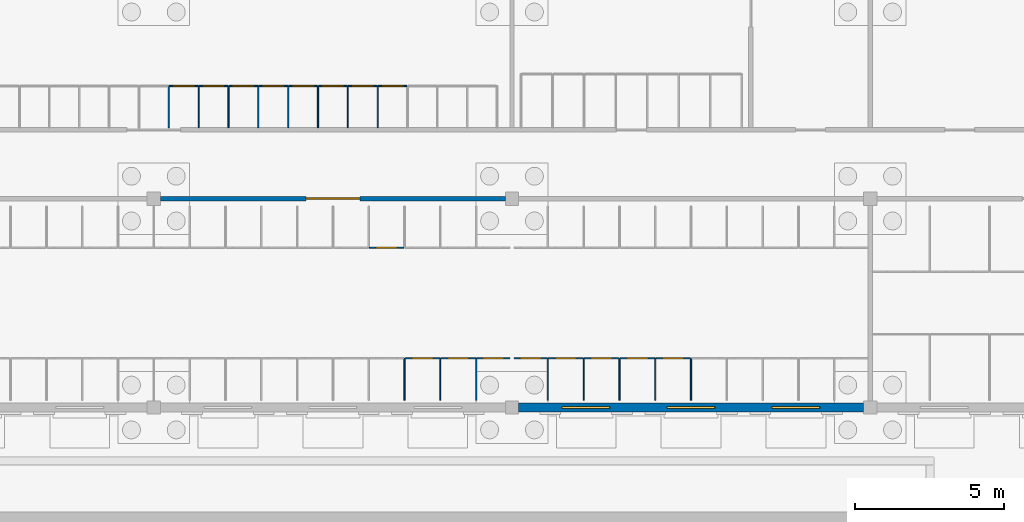
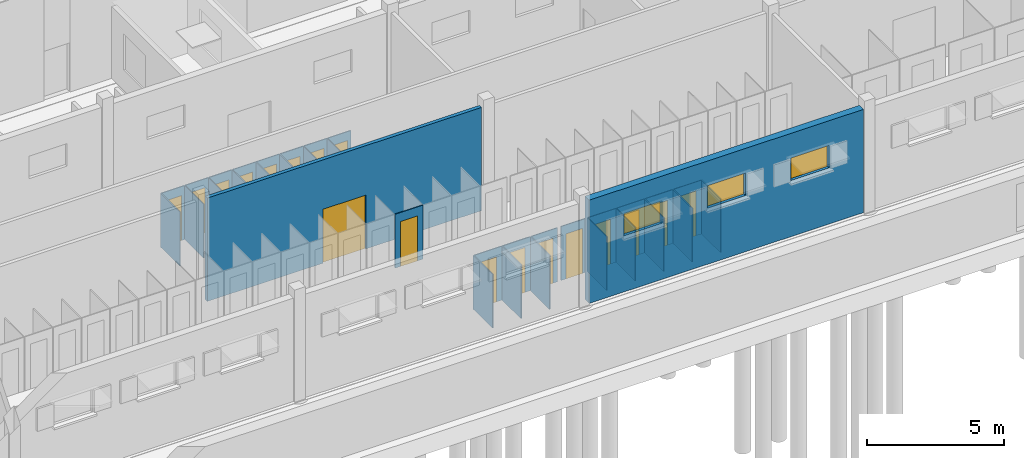
# One storey, part 81 of 157: 35 walls, 18 doors, 3 windows, 21 openings.
"""IFC4 building model written with IfcOpenShell, lengths in metres."""

from ifc_helpers import new_model, si_unit, direction, frame, frame_2d, origin, place, context, subcontext, project, spatial, rectangle, extrude, material, layer, layer_set, type_object, element, fill, save


model = new_model("IFC4")

# Units and contexts
model_context = context("Model", 3, precision=1e-05, world=origin(), true_north=direction((0.0, 1.0)))
body_context = subcontext(model_context, "Body", "Model", "MODEL_VIEW")
ifc_project = project(units=[si_unit("LENGTHUNIT", "METRE"), si_unit("AREAUNIT", "SQUARE_METRE"), si_unit("VOLUMEUNIT", "CUBIC_METRE"), si_unit("PLANEANGLEUNIT", "RADIAN"), si_unit("MASSUNIT", "GRAM", prefix="KILO")], contexts=[model_context])

# Site, building, storey
site_placement = place(None, origin())
site = spatial("IfcSite", under=ifc_project, at=site_placement, CompositionType="ELEMENT")
building_placement = place(site_placement, origin())
building = spatial("IfcBuilding", under=site, at=building_placement, Name="Windward Yard Aquatics Centre", CompositionType="ELEMENT")
storey_placement = place(building_placement, origin())
storey = spatial("IfcBuildingStorey", under=building, at=storey_placement, Name="L00", CompositionType="ELEMENT", Elevation=0.0)

# Wall, opening, door
ifc_material_1 = material(Name="Concrete masonry unit plastered", Category="masonry")
ifc_layer_1 = layer(ifc_material_1, 0.14990234375)
ifc_layer_set_1 = layer_set([ifc_layer_1], Name="C block partition 150")
wall_type_1 = type_object("IfcWallType", Name="C block partition 150", PredefinedType="PARTITIONING", material=ifc_layer_set_1)
wall_1_placement = place(storey_placement, frame((72.22509765625, 12.0, 0.0), z_axis=(0.0, 0.0, 1.0), x_axis=(1.0, 0.0, 0.0)))
wall_1 = element("IfcWall", 1, at=wall_1_placement, inside=storey, type_object=wall_type_1, Name="C.W.L00.SP.S.3", PredefinedType="PARTITIONING", context=body_context, shape_type="SweptSolid", body=[
    extrude(rectangle(XDim=11.5498046875, YDim=0.14990234375, at=frame_2d((5.77490234375, 0.0))), origin(), (0.0, 0.0, 1.0), 4.60009765625),
])
opening_1_placement = place(wall_1_placement, frame((4.875, 0.0, 0.0)))
opening_1 = element("IfcOpeningElement", 2, at=opening_1_placement, cuts=wall_1, Name="Opening C0008", PredefinedType="OPENING", context=body_context, shape_type="SweptSolid", body=[
    extrude(rectangle(XDim=1.800048828125, YDim=2.39990234375, at=frame_2d((0.89990234375, 1.199951171875))), frame((0.0, 0.0849609375, 0.0), z_axis=(0.0, -1.0, 0.0), x_axis=(1.0, 0.0, 0.0)), (0.0, 0.0, 1.0), 0.169921875),
])
ifc_material_2 = material(Name="Timber door leaf in steel frame", Category="steel")
door_type_1 = type_object("IfcDoorType", Name="C double door 1800X2400 FD30S", OperationType="DOUBLE_DOOR_SINGLE_SWING", PredefinedType="DOOR", material=ifc_material_2)
door_1_placement = place(opening_1_placement, origin())
door_1 = element("IfcDoor", 3, at=door_1_placement, inside=storey, type_object=door_type_1, Name="Door C0008", OperationType="DOUBLE_DOOR_SINGLE_SWING", OverallHeight=2.39990234375, OverallWidth=1.800048828125, PredefinedType="DOOR", context=body_context, shape_type="SweptSolid", body=[
    extrude(rectangle(XDim=1.800048828125, YDim=2.39990234375, at=frame_2d((0.89990234375, 1.199951171875))), frame((0.0, 0.02490234375, 0.0), z_axis=(0.0, -1.0, 0.0), x_axis=(1.0, 0.0, 0.0)), (0.0, 0.0, 1.0), 0.050048828125),
])
fill(opening_1, door_1)

# Walls
ifc_material_3 = material(Name="High-pressure laminate panel on stainless frame")
ifc_layer_2 = layer(ifc_material_3, 0.0400390625)
ifc_layer_set_2 = layer_set([ifc_layer_2], Name="C cubicle panel 40")
wall_type_2 = type_object("IfcWallType", Name="C cubicle panel 40", PredefinedType="PARTITIONING", material=ifc_layer_set_2)
for number, where, z_axis, x_axis, name in (
    (4, (80.39990234375, 5.25, 0.0), (0.0, 0.0, 1.0), (0.0, 1.0, 0.0), "C.W.L00.A.P17"),
    (5, (81.60009765625, 5.25, 0.0), (0.0, 0.0, 1.0), (0.0, 1.0, 0.0), "C.W.L00.A.P18"),
    (6, (82.800048828125, 5.25, 0.0), (0.0, 0.0, 1.0), (0.0, 1.0, 0.0), "C.W.L00.A.P19"),
    (7, (85.199951171875, 5.25, 0.0), (0.0, 0.0, 1.0), (0.0, 1.0, 0.0), "C.W.L00.A.P21"),
    (8, (86.39990234375, 5.25, 0.0), (0.0, 0.0, 1.0), (0.0, 1.0, 0.0), "C.W.L00.A.P22"),
    (9, (87.60009765625, 5.25, 0.0), (0.0, 0.0, 1.0), (0.0, 1.0, 0.0), "C.W.L00.A.P23"),
    (10, (88.800048828125, 5.25, 0.0), (0.0, 0.0, 1.0), (0.0, 1.0, 0.0), "C.W.L00.A.P24"),
    (11, (90.0, 5.25, 0.0), (0.0, 0.0, 1.0), (0.0, 1.0, 0.0), "C.W.L00.A.P25"),
):
    element("IfcWall", number, at=place(storey_placement, frame(where, z_axis=z_axis, x_axis=x_axis)), inside=storey, type_object=wall_type_2, Name=name, PredefinedType="PARTITIONING", context=body_context, shape_type="SweptSolid", body=[
        extrude(rectangle(XDim=1.39990234375, YDim=0.0400390625, at=frame_2d((0.699951171875, 0.0))), origin(), (0.0, 0.0, 1.0), 2.39990234375),
    ])

# Wall, opening, door
wall_2_placement = place(storey_placement, frame((80.419921875, 6.64990234375, 0.0), z_axis=(0.0, 0.0, 1.0), x_axis=(1.0, 0.0, 0.0)))
wall_2 = element("IfcWall", 12, at=wall_2_placement, inside=storey, type_object=wall_type_2, Name="C.W.L00.A.F17", PredefinedType="PARTITIONING", context=body_context, shape_type="SweptSolid", body=[
    extrude(rectangle(XDim=1.16015625, YDim=0.0400390625, at=frame_2d((0.580078125, 0.0))), origin(), (0.0, 0.0, 1.0), 2.39990234375),
])
opening_2_placement = place(wall_2_placement, frame((0.22998046875, 0.0, 0.0)))
opening_2 = element("IfcOpeningElement", 13, at=opening_2_placement, cuts=wall_2, Name="Opening C0045", PredefinedType="OPENING", context=body_context, shape_type="SweptSolid", body=[
    extrude(rectangle(XDim=0.699951171875, YDim=2.0, at=frame_2d((0.35009765625, 1.0))), frame((0.0, 0.030029296875, 0.0), z_axis=(0.0, -1.0, 0.0), x_axis=(1.0, 0.0, 0.0)), (0.0, 0.0, 1.0), 0.06005859375),
])
ifc_material_4 = material(Name="High-pressure laminate door leaf")
door_type_2 = type_object("IfcDoorType", Name="C door 700X2000 NOT RATED", OperationType="SINGLE_SWING_LEFT", PredefinedType="DOOR", material=ifc_material_4)
door_2_placement = place(opening_2_placement, origin())
door_2 = element("IfcDoor", 14, at=door_2_placement, inside=storey, type_object=door_type_2, Name="Cubicle door A18", OperationType="SINGLE_SWING_LEFT", OverallHeight=2.0, OverallWidth=0.699951171875, PredefinedType="DOOR", context=body_context, shape_type="SweptSolid", body=[
    extrude(rectangle(XDim=0.699951171875, YDim=2.0, at=frame_2d((0.35009765625, 1.0))), frame((0.0, 0.019775390625, 0.0), z_axis=(0.0, -1.0, 0.0), x_axis=(1.0, 0.0, 0.0)), (0.0, 0.0, 1.0), 0.03955078125),
])
fill(opening_2, door_2)

wall_3_placement = place(storey_placement, frame((81.6201171875, 6.64990234375, 0.0), z_axis=(0.0, 0.0, 1.0), x_axis=(1.0, 0.0, 0.0)))
wall_3 = element("IfcWall", 15, at=wall_3_placement, inside=storey, type_object=wall_type_2, Name="C.W.L00.A.F18", PredefinedType="PARTITIONING", context=body_context, shape_type="SweptSolid", body=[
    extrude(rectangle(XDim=1.159912109375, YDim=0.0400390625, at=frame_2d((0.580078125, 0.0))), origin(), (0.0, 0.0, 1.0), 2.39990234375),
])
opening_3_placement = place(wall_3_placement, frame((0.22998046875, 0.0, 0.0)))
opening_3 = element("IfcOpeningElement", 16, at=opening_3_placement, cuts=wall_3, Name="Opening C0046", PredefinedType="OPENING", context=body_context, shape_type="SweptSolid", body=[
    extrude(rectangle(XDim=0.699951171875, YDim=2.0, at=frame_2d((0.35009765625, 1.0))), frame((0.0, 0.030029296875, 0.0), z_axis=(0.0, -1.0, 0.0), x_axis=(1.0, 0.0, 0.0)), (0.0, 0.0, 1.0), 0.06005859375),
])
door_3_placement = place(opening_3_placement, origin())
door_3 = element("IfcDoor", 17, at=door_3_placement, inside=storey, type_object=door_type_2, Name="Cubicle door A19", OperationType="SINGLE_SWING_LEFT", OverallHeight=2.0, OverallWidth=0.699951171875, PredefinedType="DOOR", context=body_context, shape_type="SweptSolid", body=[
    extrude(rectangle(XDim=0.699951171875, YDim=2.0, at=frame_2d((0.35009765625, 1.0))), frame((0.0, 0.019775390625, 0.0), z_axis=(0.0, -1.0, 0.0), x_axis=(1.0, 0.0, 0.0)), (0.0, 0.0, 1.0), 0.03955078125),
])
fill(opening_3, door_3)

wall_4_placement = place(storey_placement, frame((82.820068359375, 6.64990234375, 0.0), z_axis=(0.0, 0.0, 1.0), x_axis=(1.0, 0.0, 0.0)))
wall_4 = element("IfcWall", 18, at=wall_4_placement, inside=storey, type_object=wall_type_2, Name="C.W.L00.A.F19", PredefinedType="PARTITIONING", context=body_context, shape_type="SweptSolid", body=[
    extrude(rectangle(XDim=1.10498046875, YDim=0.0400390625, at=frame_2d((0.552490234375, 0.0))), origin(), (0.0, 0.0, 1.0), 2.39990234375),
])
opening_4_placement = place(wall_4_placement, frame((0.202392578125, 0.0, 0.0)))
opening_4 = element("IfcOpeningElement", 19, at=opening_4_placement, cuts=wall_4, Name="Opening C0047", PredefinedType="OPENING", context=body_context, shape_type="SweptSolid", body=[
    extrude(rectangle(XDim=0.699951171875, YDim=2.0, at=frame_2d((0.35009765625, 1.0))), frame((0.0, 0.030029296875, 0.0), z_axis=(0.0, -1.0, 0.0), x_axis=(1.0, 0.0, 0.0)), (0.0, 0.0, 1.0), 0.06005859375),
])
door_4_placement = place(opening_4_placement, origin())
door_4 = element("IfcDoor", 20, at=door_4_placement, inside=storey, type_object=door_type_2, Name="Cubicle door A20", OperationType="SINGLE_SWING_LEFT", OverallHeight=2.0, OverallWidth=0.699951171875, PredefinedType="DOOR", context=body_context, shape_type="SweptSolid", body=[
    extrude(rectangle(XDim=0.699951171875, YDim=2.0, at=frame_2d((0.35009765625, 1.0))), frame((0.0, 0.019775390625, 0.0), z_axis=(0.0, -1.0, 0.0), x_axis=(1.0, 0.0, 0.0)), (0.0, 0.0, 1.0), 0.03955078125),
])
fill(opening_4, door_4)

wall_5_placement = place(storey_placement, frame((84.074951171875, 6.64990234375, 0.0), z_axis=(0.0, 0.0, 1.0), x_axis=(1.0, 0.0, 0.0)))
wall_5 = element("IfcWall", 21, at=wall_5_placement, inside=storey, type_object=wall_type_2, Name="C.W.L00.A.F20", PredefinedType="PARTITIONING", context=body_context, shape_type="SweptSolid", body=[
    extrude(rectangle(XDim=1.10498046875, YDim=0.0400390625, at=frame_2d((0.552490234375, 0.0))), origin(), (0.0, 0.0, 1.0), 2.39990234375),
])
opening_5_placement = place(wall_5_placement, frame((0.202392578125, 0.0, 0.0)))
opening_5 = element("IfcOpeningElement", 22, at=opening_5_placement, cuts=wall_5, Name="Opening C0048", PredefinedType="OPENING", context=body_context, shape_type="SweptSolid", body=[
    extrude(rectangle(XDim=0.699951171875, YDim=2.0, at=frame_2d((0.35009765625, 1.0))), frame((0.0, 0.030029296875, 0.0), z_axis=(0.0, -1.0, 0.0), x_axis=(1.0, 0.0, 0.0)), (0.0, 0.0, 1.0), 0.06005859375),
])
door_5_placement = place(opening_5_placement, origin())
door_5 = element("IfcDoor", 23, at=door_5_placement, inside=storey, type_object=door_type_2, Name="Cubicle door A21", OperationType="SINGLE_SWING_LEFT", OverallHeight=2.0, OverallWidth=0.699951171875, PredefinedType="DOOR", context=body_context, shape_type="SweptSolid", body=[
    extrude(rectangle(XDim=0.699951171875, YDim=2.0, at=frame_2d((0.35009765625, 1.0))), frame((0.0, 0.019775390625, 0.0), z_axis=(0.0, -1.0, 0.0), x_axis=(1.0, 0.0, 0.0)), (0.0, 0.0, 1.0), 0.03955078125),
])
fill(opening_5, door_5)

wall_6_placement = place(storey_placement, frame((85.219970703125, 6.64990234375, 0.0), z_axis=(0.0, 0.0, 1.0), x_axis=(1.0, 0.0, 0.0)))
wall_6 = element("IfcWall", 24, at=wall_6_placement, inside=storey, type_object=wall_type_2, Name="C.W.L00.A.F21", PredefinedType="PARTITIONING", context=body_context, shape_type="SweptSolid", body=[
    extrude(rectangle(XDim=1.159912109375, YDim=0.0400390625, at=frame_2d((0.580078125, 0.0))), origin(), (0.0, 0.0, 1.0), 2.39990234375),
])
opening_6_placement = place(wall_6_placement, frame((0.22998046875, 0.0, 0.0)))
opening_6 = element("IfcOpeningElement", 25, at=opening_6_placement, cuts=wall_6, Name="Opening C0049", PredefinedType="OPENING", context=body_context, shape_type="SweptSolid", body=[
    extrude(rectangle(XDim=0.699951171875, YDim=2.0, at=frame_2d((0.35009765625, 1.0))), frame((0.0, 0.030029296875, 0.0), z_axis=(0.0, -1.0, 0.0), x_axis=(1.0, 0.0, 0.0)), (0.0, 0.0, 1.0), 0.06005859375),
])
door_6_placement = place(opening_6_placement, origin())
door_6 = element("IfcDoor", 26, at=door_6_placement, inside=storey, type_object=door_type_2, Name="Cubicle door A22", OperationType="SINGLE_SWING_LEFT", OverallHeight=2.0, OverallWidth=0.699951171875, PredefinedType="DOOR", context=body_context, shape_type="SweptSolid", body=[
    extrude(rectangle(XDim=0.699951171875, YDim=2.0, at=frame_2d((0.35009765625, 1.0))), frame((0.0, 0.019775390625, 0.0), z_axis=(0.0, -1.0, 0.0), x_axis=(1.0, 0.0, 0.0)), (0.0, 0.0, 1.0), 0.03955078125),
])
fill(opening_6, door_6)

wall_7_placement = place(storey_placement, frame((86.419921875, 6.64990234375, 0.0), z_axis=(0.0, 0.0, 1.0), x_axis=(1.0, 0.0, 0.0)))
wall_7 = element("IfcWall", 27, at=wall_7_placement, inside=storey, type_object=wall_type_2, Name="C.W.L00.A.F22", PredefinedType="PARTITIONING", context=body_context, shape_type="SweptSolid", body=[
    extrude(rectangle(XDim=1.16015625, YDim=0.0400390625, at=frame_2d((0.580078125, 0.0))), origin(), (0.0, 0.0, 1.0), 2.39990234375),
])
opening_7_placement = place(wall_7_placement, frame((0.22998046875, 0.0, 0.0)))
opening_7 = element("IfcOpeningElement", 28, at=opening_7_placement, cuts=wall_7, Name="Opening C0050", PredefinedType="OPENING", context=body_context, shape_type="SweptSolid", body=[
    extrude(rectangle(XDim=0.699951171875, YDim=2.0, at=frame_2d((0.35009765625, 1.0))), frame((0.0, 0.030029296875, 0.0), z_axis=(0.0, -1.0, 0.0), x_axis=(1.0, 0.0, 0.0)), (0.0, 0.0, 1.0), 0.06005859375),
])
door_7_placement = place(opening_7_placement, origin())
door_7 = element("IfcDoor", 29, at=door_7_placement, inside=storey, type_object=door_type_2, Name="Cubicle door A23", OperationType="SINGLE_SWING_LEFT", OverallHeight=2.0, OverallWidth=0.699951171875, PredefinedType="DOOR", context=body_context, shape_type="SweptSolid", body=[
    extrude(rectangle(XDim=0.699951171875, YDim=2.0, at=frame_2d((0.35009765625, 1.0))), frame((0.0, 0.019775390625, 0.0), z_axis=(0.0, -1.0, 0.0), x_axis=(1.0, 0.0, 0.0)), (0.0, 0.0, 1.0), 0.03955078125),
])
fill(opening_7, door_7)

wall_8_placement = place(storey_placement, frame((87.6201171875, 6.64990234375, 0.0), z_axis=(0.0, 0.0, 1.0), x_axis=(1.0, 0.0, 0.0)))
wall_8 = element("IfcWall", 30, at=wall_8_placement, inside=storey, type_object=wall_type_2, Name="C.W.L00.A.F23", PredefinedType="PARTITIONING", context=body_context, shape_type="SweptSolid", body=[
    extrude(rectangle(XDim=1.159912109375, YDim=0.0400390625, at=frame_2d((0.580078125, 0.0))), origin(), (0.0, 0.0, 1.0), 2.39990234375),
])
opening_8_placement = place(wall_8_placement, frame((0.22998046875, 0.0, 0.0)))
opening_8 = element("IfcOpeningElement", 31, at=opening_8_placement, cuts=wall_8, Name="Opening C0051", PredefinedType="OPENING", context=body_context, shape_type="SweptSolid", body=[
    extrude(rectangle(XDim=0.699951171875, YDim=2.0, at=frame_2d((0.35009765625, 1.0))), frame((0.0, 0.030029296875, 0.0), z_axis=(0.0, -1.0, 0.0), x_axis=(1.0, 0.0, 0.0)), (0.0, 0.0, 1.0), 0.06005859375),
])
door_8_placement = place(opening_8_placement, origin())
door_8 = element("IfcDoor", 32, at=door_8_placement, inside=storey, type_object=door_type_2, Name="Cubicle door A24", OperationType="SINGLE_SWING_LEFT", OverallHeight=2.0, OverallWidth=0.699951171875, PredefinedType="DOOR", context=body_context, shape_type="SweptSolid", body=[
    extrude(rectangle(XDim=0.699951171875, YDim=2.0, at=frame_2d((0.35009765625, 1.0))), frame((0.0, 0.019775390625, 0.0), z_axis=(0.0, -1.0, 0.0), x_axis=(1.0, 0.0, 0.0)), (0.0, 0.0, 1.0), 0.03955078125),
])
fill(opening_8, door_8)

wall_9_placement = place(storey_placement, frame((88.820068359375, 6.64990234375, 0.0), z_axis=(0.0, 0.0, 1.0), x_axis=(1.0, 0.0, 0.0)))
wall_9 = element("IfcWall", 33, at=wall_9_placement, inside=storey, type_object=wall_type_2, Name="C.W.L00.A.F24", PredefinedType="PARTITIONING", context=body_context, shape_type="SweptSolid", body=[
    extrude(rectangle(XDim=1.159912109375, YDim=0.0400390625, at=frame_2d((0.580078125, 0.0))), origin(), (0.0, 0.0, 1.0), 2.39990234375),
])
opening_9_placement = place(wall_9_placement, frame((0.22998046875, 0.0, 0.0)))
opening_9 = element("IfcOpeningElement", 34, at=opening_9_placement, cuts=wall_9, Name="Opening C0052", PredefinedType="OPENING", context=body_context, shape_type="SweptSolid", body=[
    extrude(rectangle(XDim=0.699951171875, YDim=2.0, at=frame_2d((0.35009765625, 1.0))), frame((0.0, 0.030029296875, 0.0), z_axis=(0.0, -1.0, 0.0), x_axis=(1.0, 0.0, 0.0)), (0.0, 0.0, 1.0), 0.06005859375),
])
door_9_placement = place(opening_9_placement, origin())
door_9 = element("IfcDoor", 35, at=door_9_placement, inside=storey, type_object=door_type_2, Name="Cubicle door A25", OperationType="SINGLE_SWING_LEFT", OverallHeight=2.0, OverallWidth=0.699951171875, PredefinedType="DOOR", context=body_context, shape_type="SweptSolid", body=[
    extrude(rectangle(XDim=0.699951171875, YDim=2.0, at=frame_2d((0.35009765625, 1.0))), frame((0.0, 0.019775390625, 0.0), z_axis=(0.0, -1.0, 0.0), x_axis=(1.0, 0.0, 0.0)), (0.0, 0.0, 1.0), 0.03955078125),
])
fill(opening_9, door_9)

wall_10_placement = place(storey_placement, frame((79.219970703125, 10.35009765625, 0.0), z_axis=(0.0, 0.0, 1.0), x_axis=(1.0, 0.0, 0.0)))
wall_10 = element("IfcWall", 36, at=wall_10_placement, inside=storey, type_object=wall_type_2, Name="C.W.L00.B.F16", PredefinedType="PARTITIONING", context=body_context, shape_type="SweptSolid", body=[
    extrude(rectangle(XDim=1.159912109375, YDim=0.0400390625, at=frame_2d((0.580078125, 0.0))), origin(), (0.0, 0.0, 1.0), 2.39990234375),
])
opening_10_placement = place(wall_10_placement, frame((0.22998046875, 0.0, 0.0)))
opening_10 = element("IfcOpeningElement", 37, at=opening_10_placement, cuts=wall_10, Name="Opening C0074", PredefinedType="OPENING", context=body_context, shape_type="SweptSolid", body=[
    extrude(rectangle(XDim=0.699951171875, YDim=2.0, at=frame_2d((0.35009765625, 1.0))), frame((0.0, 0.030029296875, 0.0), z_axis=(0.0, -1.0, 0.0), x_axis=(1.0, 0.0, 0.0)), (0.0, 0.0, 1.0), 0.06005859375),
])
door_10_placement = place(opening_10_placement, origin())
door_10 = element("IfcDoor", 38, at=door_10_placement, inside=storey, type_object=door_type_2, Name="Cubicle door B17", OperationType="SINGLE_SWING_LEFT", OverallHeight=2.0, OverallWidth=0.699951171875, PredefinedType="DOOR", context=body_context, shape_type="SweptSolid", body=[
    extrude(rectangle(XDim=0.699951171875, YDim=2.0, at=frame_2d((0.35009765625, 1.0))), frame((0.0, 0.019775390625, 0.0), z_axis=(0.0, -1.0, 0.0), x_axis=(1.0, 0.0, 0.0)), (0.0, 0.0, 1.0), 0.03955078125),
])
fill(opening_10, door_10)

# Walls
for number, where, z_axis, x_axis, name in (
    (39, (72.5, 14.375, 0.0), (0.0, 0.0, 1.0), (0.0, 1.0, 0.0), "C.W.L00.E.P12"),
    (40, (73.5, 14.375, 0.0), (0.0, 0.0, 1.0), (0.0, 1.0, 0.0), "C.W.L00.E.P13"),
    (41, (74.5, 14.375, 0.0), (0.0, 0.0, 1.0), (0.0, 1.0, 0.0), "C.W.L00.E.P14"),
    (42, (75.5, 14.375, 0.0), (0.0, 0.0, 1.0), (0.0, 1.0, 0.0), "C.W.L00.E.P15"),
    (43, (76.5, 14.375, 0.0), (0.0, 0.0, 1.0), (0.0, 1.0, 0.0), "C.W.L00.E.P16"),
    (44, (77.5, 14.375, 0.0), (0.0, 0.0, 1.0), (0.0, 1.0, 0.0), "C.W.L00.E.P17"),
    (45, (78.5, 14.375, 0.0), (0.0, 0.0, 1.0), (0.0, 1.0, 0.0), "C.W.L00.E.P18"),
    (46, (79.5, 14.375, 0.0), (0.0, 0.0, 1.0), (0.0, 1.0, 0.0), "C.W.L00.E.P19"),
):
    element("IfcWall", number, at=place(storey_placement, frame(where, z_axis=z_axis, x_axis=x_axis)), inside=storey, type_object=wall_type_2, Name=name, PredefinedType="PARTITIONING", context=body_context, shape_type="SweptSolid", body=[
        extrude(rectangle(XDim=1.39990234375, YDim=0.0400390625, at=frame_2d((0.699951171875, 0.0))), origin(), (0.0, 0.0, 1.0), 2.39990234375),
    ])

# Wall, opening, door
wall_11_placement = place(storey_placement, frame((72.52001953125, 15.77490234375, 0.0), z_axis=(0.0, 0.0, 1.0), x_axis=(1.0, 0.0, 0.0)))
wall_11 = element("IfcWall", 47, at=wall_11_placement, inside=storey, type_object=wall_type_2, Name="C.W.L00.E.F12", PredefinedType="PARTITIONING", context=body_context, shape_type="SweptSolid", body=[
    extrude(rectangle(XDim=0.9599609375, YDim=0.0400390625, at=frame_2d((0.47998046875, 0.0))), origin(), (0.0, 0.0, 1.0), 2.39990234375),
])
opening_11_placement = place(wall_11_placement, frame((0.1298828125, 0.0, 0.0)))
opening_11 = element("IfcOpeningElement", 48, at=opening_11_placement, cuts=wall_11, Name="Opening C0112", PredefinedType="OPENING", context=body_context, shape_type="SweptSolid", body=[
    extrude(rectangle(XDim=0.699951171875, YDim=2.0, at=frame_2d((0.35009765625, 1.0))), frame((0.0, 0.030029296875, 0.0), z_axis=(0.0, -1.0, 0.0), x_axis=(1.0, 0.0, 0.0)), (0.0, 0.0, 1.0), 0.06005859375),
])
door_11_placement = place(opening_11_placement, origin())
door_11 = element("IfcDoor", 49, at=door_11_placement, inside=storey, type_object=door_type_2, Name="Cubicle door E13", OperationType="SINGLE_SWING_LEFT", OverallHeight=2.0, OverallWidth=0.699951171875, PredefinedType="DOOR", context=body_context, shape_type="SweptSolid", body=[
    extrude(rectangle(XDim=0.699951171875, YDim=2.0, at=frame_2d((0.35009765625, 1.0))), frame((0.0, 0.019775390625, 0.0), z_axis=(0.0, -1.0, 0.0), x_axis=(1.0, 0.0, 0.0)), (0.0, 0.0, 1.0), 0.03955078125),
])
fill(opening_11, door_11)

wall_12_placement = place(storey_placement, frame((73.52001953125, 15.77490234375, 0.0), z_axis=(0.0, 0.0, 1.0), x_axis=(1.0, 0.0, 0.0)))
wall_12 = element("IfcWall", 50, at=wall_12_placement, inside=storey, type_object=wall_type_2, Name="C.W.L00.E.F13", PredefinedType="PARTITIONING", context=body_context, shape_type="SweptSolid", body=[
    extrude(rectangle(XDim=0.9599609375, YDim=0.0400390625, at=frame_2d((0.47998046875, 0.0))), origin(), (0.0, 0.0, 1.0), 2.39990234375),
])
opening_12_placement = place(wall_12_placement, frame((0.1298828125, 0.0, 0.0)))
opening_12 = element("IfcOpeningElement", 51, at=opening_12_placement, cuts=wall_12, Name="Opening C0113", PredefinedType="OPENING", context=body_context, shape_type="SweptSolid", body=[
    extrude(rectangle(XDim=0.699951171875, YDim=2.0, at=frame_2d((0.35009765625, 1.0))), frame((0.0, 0.030029296875, 0.0), z_axis=(0.0, -1.0, 0.0), x_axis=(1.0, 0.0, 0.0)), (0.0, 0.0, 1.0), 0.06005859375),
])
door_12_placement = place(opening_12_placement, origin())
door_12 = element("IfcDoor", 52, at=door_12_placement, inside=storey, type_object=door_type_2, Name="Cubicle door E14", OperationType="SINGLE_SWING_LEFT", OverallHeight=2.0, OverallWidth=0.699951171875, PredefinedType="DOOR", context=body_context, shape_type="SweptSolid", body=[
    extrude(rectangle(XDim=0.699951171875, YDim=2.0, at=frame_2d((0.35009765625, 1.0))), frame((0.0, 0.019775390625, 0.0), z_axis=(0.0, -1.0, 0.0), x_axis=(1.0, 0.0, 0.0)), (0.0, 0.0, 1.0), 0.03955078125),
])
fill(opening_12, door_12)

wall_13_placement = place(storey_placement, frame((74.52001953125, 15.77490234375, 0.0), z_axis=(0.0, 0.0, 1.0), x_axis=(1.0, 0.0, 0.0)))
wall_13 = element("IfcWall", 53, at=wall_13_placement, inside=storey, type_object=wall_type_2, Name="C.W.L00.E.F14", PredefinedType="PARTITIONING", context=body_context, shape_type="SweptSolid", body=[
    extrude(rectangle(XDim=0.9599609375, YDim=0.0400390625, at=frame_2d((0.47998046875, 0.0))), origin(), (0.0, 0.0, 1.0), 2.39990234375),
])
opening_13_placement = place(wall_13_placement, frame((0.1298828125, 0.0, 0.0)))
opening_13 = element("IfcOpeningElement", 54, at=opening_13_placement, cuts=wall_13, Name="Opening C0114", PredefinedType="OPENING", context=body_context, shape_type="SweptSolid", body=[
    extrude(rectangle(XDim=0.699951171875, YDim=2.0, at=frame_2d((0.35009765625, 1.0))), frame((0.0, 0.030029296875, 0.0), z_axis=(0.0, -1.0, 0.0), x_axis=(1.0, 0.0, 0.0)), (0.0, 0.0, 1.0), 0.06005859375),
])
door_13_placement = place(opening_13_placement, origin())
door_13 = element("IfcDoor", 55, at=door_13_placement, inside=storey, type_object=door_type_2, Name="Cubicle door E15", OperationType="SINGLE_SWING_LEFT", OverallHeight=2.0, OverallWidth=0.699951171875, PredefinedType="DOOR", context=body_context, shape_type="SweptSolid", body=[
    extrude(rectangle(XDim=0.699951171875, YDim=2.0, at=frame_2d((0.35009765625, 1.0))), frame((0.0, 0.019775390625, 0.0), z_axis=(0.0, -1.0, 0.0), x_axis=(1.0, 0.0, 0.0)), (0.0, 0.0, 1.0), 0.03955078125),
])
fill(opening_13, door_13)

wall_14_placement = place(storey_placement, frame((75.52001953125, 15.77490234375, 0.0), z_axis=(0.0, 0.0, 1.0), x_axis=(1.0, 0.0, 0.0)))
wall_14 = element("IfcWall", 56, at=wall_14_placement, inside=storey, type_object=wall_type_2, Name="C.W.L00.E.F15", PredefinedType="PARTITIONING", context=body_context, shape_type="SweptSolid", body=[
    extrude(rectangle(XDim=0.9599609375, YDim=0.0400390625, at=frame_2d((0.47998046875, 0.0))), origin(), (0.0, 0.0, 1.0), 2.39990234375),
])
opening_14_placement = place(wall_14_placement, frame((0.1298828125, 0.0, 0.0)))
opening_14 = element("IfcOpeningElement", 57, at=opening_14_placement, cuts=wall_14, Name="Opening C0115", PredefinedType="OPENING", context=body_context, shape_type="SweptSolid", body=[
    extrude(rectangle(XDim=0.699951171875, YDim=2.0, at=frame_2d((0.35009765625, 1.0))), frame((0.0, 0.030029296875, 0.0), z_axis=(0.0, -1.0, 0.0), x_axis=(1.0, 0.0, 0.0)), (0.0, 0.0, 1.0), 0.06005859375),
])
door_14_placement = place(opening_14_placement, origin())
door_14 = element("IfcDoor", 58, at=door_14_placement, inside=storey, type_object=door_type_2, Name="Cubicle door E16", OperationType="SINGLE_SWING_LEFT", OverallHeight=2.0, OverallWidth=0.699951171875, PredefinedType="DOOR", context=body_context, shape_type="SweptSolid", body=[
    extrude(rectangle(XDim=0.699951171875, YDim=2.0, at=frame_2d((0.35009765625, 1.0))), frame((0.0, 0.019775390625, 0.0), z_axis=(0.0, -1.0, 0.0), x_axis=(1.0, 0.0, 0.0)), (0.0, 0.0, 1.0), 0.03955078125),
])
fill(opening_14, door_14)

wall_15_placement = place(storey_placement, frame((76.52001953125, 15.77490234375, 0.0), z_axis=(0.0, 0.0, 1.0), x_axis=(1.0, 0.0, 0.0)))
wall_15 = element("IfcWall", 59, at=wall_15_placement, inside=storey, type_object=wall_type_2, Name="C.W.L00.E.F16", PredefinedType="PARTITIONING", context=body_context, shape_type="SweptSolid", body=[
    extrude(rectangle(XDim=0.9599609375, YDim=0.0400390625, at=frame_2d((0.47998046875, 0.0))), origin(), (0.0, 0.0, 1.0), 2.39990234375),
])
opening_15_placement = place(wall_15_placement, frame((0.1298828125, 0.0, 0.0)))
opening_15 = element("IfcOpeningElement", 60, at=opening_15_placement, cuts=wall_15, Name="Opening C0116", PredefinedType="OPENING", context=body_context, shape_type="SweptSolid", body=[
    extrude(rectangle(XDim=0.699951171875, YDim=2.0, at=frame_2d((0.35009765625, 1.0))), frame((0.0, 0.030029296875, 0.0), z_axis=(0.0, -1.0, 0.0), x_axis=(1.0, 0.0, 0.0)), (0.0, 0.0, 1.0), 0.06005859375),
])
door_15_placement = place(opening_15_placement, origin())
door_15 = element("IfcDoor", 61, at=door_15_placement, inside=storey, type_object=door_type_2, Name="Cubicle door E17", OperationType="SINGLE_SWING_LEFT", OverallHeight=2.0, OverallWidth=0.699951171875, PredefinedType="DOOR", context=body_context, shape_type="SweptSolid", body=[
    extrude(rectangle(XDim=0.699951171875, YDim=2.0, at=frame_2d((0.35009765625, 1.0))), frame((0.0, 0.019775390625, 0.0), z_axis=(0.0, -1.0, 0.0), x_axis=(1.0, 0.0, 0.0)), (0.0, 0.0, 1.0), 0.03955078125),
])
fill(opening_15, door_15)

wall_16_placement = place(storey_placement, frame((77.52001953125, 15.77490234375, 0.0), z_axis=(0.0, 0.0, 1.0), x_axis=(1.0, 0.0, 0.0)))
wall_16 = element("IfcWall", 62, at=wall_16_placement, inside=storey, type_object=wall_type_2, Name="C.W.L00.E.F17", PredefinedType="PARTITIONING", context=body_context, shape_type="SweptSolid", body=[
    extrude(rectangle(XDim=0.9599609375, YDim=0.0400390625, at=frame_2d((0.47998046875, 0.0))), origin(), (0.0, 0.0, 1.0), 2.39990234375),
])
opening_16_placement = place(wall_16_placement, frame((0.1298828125, 0.0, 0.0)))
opening_16 = element("IfcOpeningElement", 63, at=opening_16_placement, cuts=wall_16, Name="Opening C0117", PredefinedType="OPENING", context=body_context, shape_type="SweptSolid", body=[
    extrude(rectangle(XDim=0.699951171875, YDim=2.0, at=frame_2d((0.35009765625, 1.0))), frame((0.0, 0.030029296875, 0.0), z_axis=(0.0, -1.0, 0.0), x_axis=(1.0, 0.0, 0.0)), (0.0, 0.0, 1.0), 0.06005859375),
])
door_16_placement = place(opening_16_placement, origin())
door_16 = element("IfcDoor", 64, at=door_16_placement, inside=storey, type_object=door_type_2, Name="Cubicle door E18", OperationType="SINGLE_SWING_LEFT", OverallHeight=2.0, OverallWidth=0.699951171875, PredefinedType="DOOR", context=body_context, shape_type="SweptSolid", body=[
    extrude(rectangle(XDim=0.699951171875, YDim=2.0, at=frame_2d((0.35009765625, 1.0))), frame((0.0, 0.019775390625, 0.0), z_axis=(0.0, -1.0, 0.0), x_axis=(1.0, 0.0, 0.0)), (0.0, 0.0, 1.0), 0.03955078125),
])
fill(opening_16, door_16)

wall_17_placement = place(storey_placement, frame((78.52001953125, 15.77490234375, 0.0), z_axis=(0.0, 0.0, 1.0), x_axis=(1.0, 0.0, 0.0)))
wall_17 = element("IfcWall", 65, at=wall_17_placement, inside=storey, type_object=wall_type_2, Name="C.W.L00.E.F18", PredefinedType="PARTITIONING", context=body_context, shape_type="SweptSolid", body=[
    extrude(rectangle(XDim=0.9599609375, YDim=0.0400390625, at=frame_2d((0.47998046875, 0.0))), origin(), (0.0, 0.0, 1.0), 2.39990234375),
])
opening_17_placement = place(wall_17_placement, frame((0.1298828125, 0.0, 0.0)))
opening_17 = element("IfcOpeningElement", 66, at=opening_17_placement, cuts=wall_17, Name="Opening C0118", PredefinedType="OPENING", context=body_context, shape_type="SweptSolid", body=[
    extrude(rectangle(XDim=0.699951171875, YDim=2.0, at=frame_2d((0.35009765625, 1.0))), frame((0.0, 0.030029296875, 0.0), z_axis=(0.0, -1.0, 0.0), x_axis=(1.0, 0.0, 0.0)), (0.0, 0.0, 1.0), 0.06005859375),
])
door_17_placement = place(opening_17_placement, origin())
door_17 = element("IfcDoor", 67, at=door_17_placement, inside=storey, type_object=door_type_2, Name="Cubicle door E19", OperationType="SINGLE_SWING_LEFT", OverallHeight=2.0, OverallWidth=0.699951171875, PredefinedType="DOOR", context=body_context, shape_type="SweptSolid", body=[
    extrude(rectangle(XDim=0.699951171875, YDim=2.0, at=frame_2d((0.35009765625, 1.0))), frame((0.0, 0.019775390625, 0.0), z_axis=(0.0, -1.0, 0.0), x_axis=(1.0, 0.0, 0.0)), (0.0, 0.0, 1.0), 0.03955078125),
])
fill(opening_17, door_17)

wall_18_placement = place(storey_placement, frame((79.52001953125, 15.77490234375, 0.0), z_axis=(0.0, 0.0, 1.0), x_axis=(1.0, 0.0, 0.0)))
wall_18 = element("IfcWall", 68, at=wall_18_placement, inside=storey, type_object=wall_type_2, Name="C.W.L00.E.F19", PredefinedType="PARTITIONING", context=body_context, shape_type="SweptSolid", body=[
    extrude(rectangle(XDim=0.9599609375, YDim=0.0400390625, at=frame_2d((0.47998046875, 0.0))), origin(), (0.0, 0.0, 1.0), 2.39990234375),
])
opening_18_placement = place(wall_18_placement, frame((0.1298828125, 0.0, 0.0)))
opening_18 = element("IfcOpeningElement", 69, at=opening_18_placement, cuts=wall_18, Name="Opening C0119", PredefinedType="OPENING", context=body_context, shape_type="SweptSolid", body=[
    extrude(rectangle(XDim=0.699951171875, YDim=2.0, at=frame_2d((0.35009765625, 1.0))), frame((0.0, 0.030029296875, 0.0), z_axis=(0.0, -1.0, 0.0), x_axis=(1.0, 0.0, 0.0)), (0.0, 0.0, 1.0), 0.06005859375),
])
door_18_placement = place(opening_18_placement, origin())
door_18 = element("IfcDoor", 70, at=door_18_placement, inside=storey, type_object=door_type_2, Name="Cubicle door E20", OperationType="SINGLE_SWING_LEFT", OverallHeight=2.0, OverallWidth=0.699951171875, PredefinedType="DOOR", context=body_context, shape_type="SweptSolid", body=[
    extrude(rectangle(XDim=0.699951171875, YDim=2.0, at=frame_2d((0.35009765625, 1.0))), frame((0.0, 0.019775390625, 0.0), z_axis=(0.0, -1.0, 0.0), x_axis=(1.0, 0.0, 0.0)), (0.0, 0.0, 1.0), 0.03955078125),
])
fill(opening_18, door_18)

# Wall, openings, windows
ifc_material_5 = material(Name="Natural stone cladding", Category="masonry")
ifc_layer_3 = layer(ifc_material_5, 0.04, Name="Cladding")
ifc_material_6 = material(Name="Ventilated air cavity")
ifc_layer_4 = layer(ifc_material_6, 0.04, ventilated=True, Name="Ventilated cavity")
ifc_material_7 = material(Name="Mineral wool insulation")
ifc_layer_5 = layer(ifc_material_7, 0.06, Name="Insulation")
ifc_material_8 = material(Name="Concrete C35/45", Category="concrete")
ifc_layer_6 = layer(ifc_material_8, 0.16, Name="Structure")
ifc_layer_set_3 = layer_set([ifc_layer_3, ifc_layer_4, ifc_layer_5, ifc_layer_6], Name="C stone-faced external wall 300")
wall_type_3 = type_object("IfcWallType", Name="C stone-faced external wall 300", PredefinedType="ELEMENTEDWALL", material=ifc_layer_set_3)
wall_19_placement = place(storey_placement, frame((84.22509765625, 5.0, 0.0), z_axis=(0.0, 0.0, 1.0), x_axis=(1.0, 0.0, 0.0)))
wall_19 = element("IfcWall", 71, at=wall_19_placement, inside=storey, type_object=wall_type_3, Name="C.W.L00.S4", PredefinedType="ELEMENTEDWALL", context=body_context, shape_type="SweptSolid", body=[
    extrude(rectangle(XDim=11.5498046875, YDim=0.300048828125, at=frame_2d((5.77490234375, 0.0))), origin(), (0.0, 0.0, 1.0), 4.60009765625),
])
opening_19_placement = place(wall_19_placement, frame((1.458251953125, 0.0, 2.5)))
opening_19 = element("IfcOpeningElement", 72, at=opening_19_placement, cuts=wall_19, Name="Opening CW0007", PredefinedType="OPENING", context=body_context, shape_type="SweptSolid", body=[
    extrude(rectangle(XDim=1.60009765625, YDim=1.0, at=frame_2d((0.800048828125, 0.5))), frame((0.0, 0.16015625, 0.0), z_axis=(0.0, -1.0, 0.0), x_axis=(1.0, 0.0, 0.0)), (0.0, 0.0, 1.0), 0.320068359375),
])
opening_20_placement = place(wall_19_placement, frame((4.97509765625, 0.0, 2.5)))
opening_20 = element("IfcOpeningElement", 73, at=opening_20_placement, cuts=wall_19, Name="Opening CW0008", PredefinedType="OPENING", context=body_context, shape_type="SweptSolid", body=[
    extrude(rectangle(XDim=1.60009765625, YDim=1.0, at=frame_2d((0.800048828125, 0.5))), frame((0.0, 0.16015625, 0.0), z_axis=(0.0, -1.0, 0.0), x_axis=(1.0, 0.0, 0.0)), (0.0, 0.0, 1.0), 0.320068359375),
])
opening_21_placement = place(wall_19_placement, frame((8.49169921875, 0.0, 2.5)))
opening_21 = element("IfcOpeningElement", 74, at=opening_21_placement, cuts=wall_19, Name="Opening CW0009", PredefinedType="OPENING", context=body_context, shape_type="SweptSolid", body=[
    extrude(rectangle(XDim=1.60009765625, YDim=1.0, at=frame_2d((0.800048828125, 0.5))), frame((0.0, 0.16015625, 0.0), z_axis=(0.0, -1.0, 0.0), x_axis=(1.0, 0.0, 0.0)), (0.0, 0.0, 1.0), 0.320068359375),
])
ifc_material_9 = material(Name="Aluminium framed double glazing", Category="aluminium")
window_type = type_object("IfcWindowType", Name="C window 1600X1000", PartitioningType="SINGLE_PANEL", PredefinedType="WINDOW", material=ifc_material_9)
window_1_placement = place(opening_19_placement, origin())
window_1 = element("IfcWindow", 75, at=window_1_placement, inside=storey, type_object=window_type, Name="Window CW0007", OverallHeight=1.0, OverallWidth=1.60009765625, PartitioningType="SINGLE_PANEL", PredefinedType="WINDOW", context=body_context, shape_type="SweptSolid", body=[
    extrude(rectangle(XDim=1.60009765625, YDim=1.0, at=frame_2d((0.800048828125, 0.5))), frame((0.0, 0.030029296875, 0.0), z_axis=(0.0, -1.0, 0.0), x_axis=(1.0, 0.0, 0.0)), (0.0, 0.0, 1.0), 0.06005859375),
])
fill(opening_19, window_1)
window_2_placement = place(opening_20_placement, origin())
window_2 = element("IfcWindow", 76, at=window_2_placement, inside=storey, type_object=window_type, Name="Window CW0008", OverallHeight=1.0, OverallWidth=1.60009765625, PartitioningType="SINGLE_PANEL", PredefinedType="WINDOW", context=body_context, shape_type="SweptSolid", body=[
    extrude(rectangle(XDim=1.60009765625, YDim=1.0, at=frame_2d((0.800048828125, 0.5))), frame((0.0, 0.030029296875, 0.0), z_axis=(0.0, -1.0, 0.0), x_axis=(1.0, 0.0, 0.0)), (0.0, 0.0, 1.0), 0.06005859375),
])
fill(opening_20, window_2)
window_3_placement = place(opening_21_placement, origin())
window_3 = element("IfcWindow", 77, at=window_3_placement, inside=storey, type_object=window_type, Name="Window CW0009", OverallHeight=1.0, OverallWidth=1.60009765625, PartitioningType="SINGLE_PANEL", PredefinedType="WINDOW", context=body_context, shape_type="SweptSolid", body=[
    extrude(rectangle(XDim=1.60009765625, YDim=1.0, at=frame_2d((0.800048828125, 0.5))), frame((0.0, 0.030029296875, 0.0), z_axis=(0.0, -1.0, 0.0), x_axis=(1.0, 0.0, 0.0)), (0.0, 0.0, 1.0), 0.06005859375),
])
fill(opening_21, window_3)

save(model, "model.ifc")
